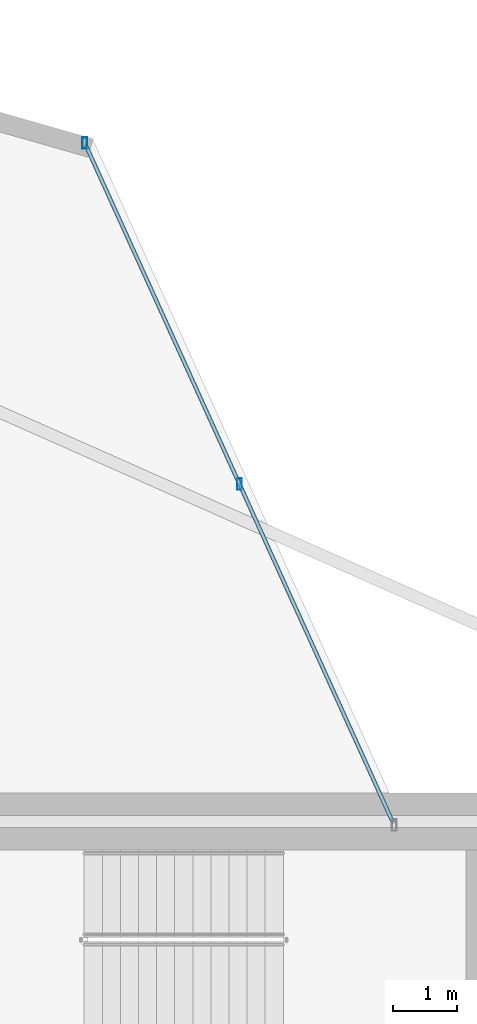
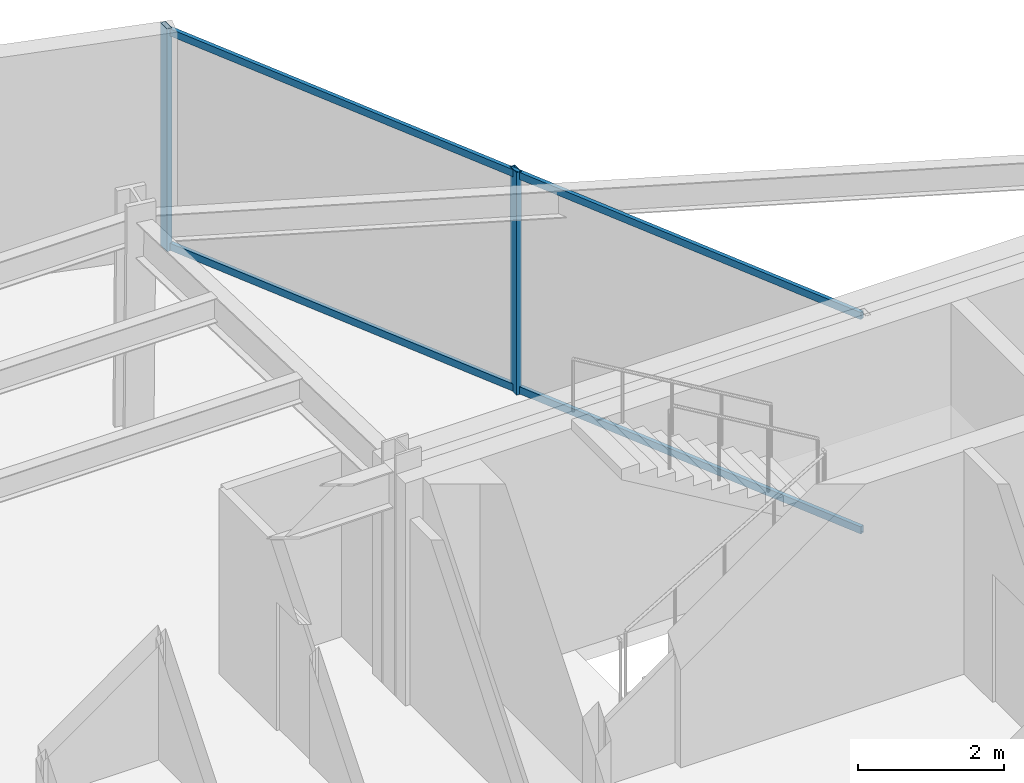
# One storey, part 18 of 25: 4 members, 1 element without a shape of its own.
"""IFC4 building model written with IfcOpenShell, lengths in metres."""

import ifcopenshell
import ifcopenshell.guid

model = None  # the IFC model being written
_history = None  # IfcOwnerHistory: only IFC2X3 demands one
_inside = {}  # id of a spatial element -> (the spatial element, [elements in it])
_under = {}  # id of a project, library or spatial element -> (it, [spatial elements below it])
_declared = {}  # id of a project -> (the project, [libraries it declares])
_typed = {}  # id of a type object -> (the type object, [elements of that type])
_made_of = {}  # id of a material, layer set ... -> (it, [elements and type objects made of it])


def new_model(schema):
    """Start an empty IFC model of exactly this schema.

    Asked for "IFC4X3", IfcOpenShell would pick the latest addendum, in which some entities
    have other attributes; the version numbers below select the first issue.
    IFC2X3 requires an IfcOwnerHistory on every rooted entity: one is made here for all.
    """
    global model, _history
    if schema == "IFC4X3":
        model = ifcopenshell.file(schema_version=(4, 3, 0, 0))
    else:
        model = ifcopenshell.file(schema=schema)
    _inside.clear()
    _under.clear()
    _declared.clear()
    _typed.clear()
    _made_of.clear()
    _history = None
    if model.schema == "IFC2X3":
        org = make("IfcOrganization", Name="unknown")
        user = make(
            "IfcPersonAndOrganization",
            ThePerson=make("IfcPerson", FamilyName="unknown"),
            TheOrganization=org,
        )
        app = make(
            "IfcApplication",
            ApplicationDeveloper=org,
            Version="unknown",
            ApplicationFullName="unknown",
            ApplicationIdentifier="unknown",
        )
        _history = make(
            "IfcOwnerHistory",
            OwningUser=user,
            OwningApplication=app,
            ChangeAction="ADDED",
            CreationDate=0,
        )
    return model


def make(cls, **values):
    """One entity of the class cls with the attributes given. An attribute that is None is left unset."""
    return model.create_entity(
        cls, **{name: value for name, value in values.items() if value is not None}
    )


def rooted(cls, **values):
    """An entity with a GlobalId (a new one), such as an element, a storey or a relation."""
    return make(cls, GlobalId=ifcopenshell.guid.new(), OwnerHistory=_history, **values)


def si_unit(unit_type, name, prefix=None):
    """IfcSIUnit, for example si_unit("LENGTHUNIT", "METRE", prefix="MILLI")."""
    return make("IfcSIUnit", UnitType=unit_type, Prefix=prefix, Name=name)


def assignment(units):
    """IfcUnitAssignment: the units of a project."""
    return None if units is None else make("IfcUnitAssignment", Units=units)


def point(xyz):
    """IfcCartesianPoint."""
    return None if xyz is None else make("IfcCartesianPoint", Coordinates=xyz)


def direction(xyz):
    """IfcDirection."""
    return None if xyz is None else make("IfcDirection", DirectionRatios=xyz)


def frame(location, z_axis=None, x_axis=None):
    """IfcAxis2Placement3D, a coordinate frame: its origin and axes. An axis left out is left unset."""
    return make(
        "IfcAxis2Placement3D",
        Location=point(location),
        Axis=direction(z_axis),
        RefDirection=direction(x_axis),
    )


def frame_2d(location, x_axis=None):
    """IfcAxis2Placement2D, a coordinate frame in the plane: its origin and x axis."""
    return make(
        "IfcAxis2Placement2D", Location=point(location), RefDirection=direction(x_axis)
    )


def origin():
    """The frame at (0, 0, 0) with its axes left unset."""
    return frame((0.0, 0.0, 0.0))


def origin_2d():
    """The frame at (0, 0) in the plane with its x axis left unset."""
    return frame_2d((0.0, 0.0))


def place(relative_to, where):
    """IfcLocalPlacement: puts the frame where relative to a parent placement (None: the world)."""
    return make(
        "IfcLocalPlacement", PlacementRelTo=relative_to, RelativePlacement=where
    )


def context(
    kind, dimensions, precision=None, world=None, true_north=None, identifier=None
):
    """IfcGeometricRepresentationContext, for example the 3D "Model" context."""
    return make(
        "IfcGeometricRepresentationContext",
        ContextIdentifier=identifier,
        ContextType=kind,
        CoordinateSpaceDimension=dimensions,
        Precision=precision,
        WorldCoordinateSystem=world,
        TrueNorth=true_north,
    )


def subcontext(parent, identifier, kind, view, scale=None):
    """IfcGeometricRepresentationSubContext, for example "Body" below "Model"."""
    return make(
        "IfcGeometricRepresentationSubContext",
        ContextIdentifier=identifier,
        ContextType=kind,
        ParentContext=parent,
        TargetScale=scale,
        TargetView=view,
    )


def project(units=None, contexts=None):
    """IfcProject with its units and contexts."""
    return rooted(
        "IfcProject",
        Name="project",
        RepresentationContexts=contexts,
        UnitsInContext=assignment(units),
    )


def spatial(cls, under=None, at=None, **own):
    """A site, building, storey or space (cls), placed at a placement, below another one or the project."""
    s = rooted(cls, ObjectPlacement=at, **own)
    if under is not None:
        _under.setdefault(under.id(), (under, []))[1].append(s)
    return s


def profile(cls, at=None, kind="AREA", **sizes):
    """A parametric profile (cls). Its sizes go by their IFC names, for example OverallWidth=200.0."""
    return make(cls, ProfileType=kind, Position=at, **sizes)


def hollow_rectangle(**sizes):
    """IfcRectangleHollowProfileDef."""
    return profile("IfcRectangleHollowProfileDef", **sizes)


def extrude(swept, where, along, depth):
    """IfcExtrudedAreaSolid: the profile swept, set in the frame where, extruded along a direction by depth."""
    return make(
        "IfcExtrudedAreaSolid",
        SweptArea=swept,
        Position=where,
        ExtrudedDirection=direction(along),
        Depth=depth,
    )


def shape(context_of_items, identifier, shape_type, items):
    """IfcShapeRepresentation: the items that make up one representation, for example the "Body"."""
    return make(
        "IfcShapeRepresentation",
        ContextOfItems=context_of_items,
        RepresentationIdentifier=identifier,
        RepresentationType=shape_type,
        Items=items,
    )


def material(Name=None, Category=None):
    """IfcMaterial."""
    return make("IfcMaterial", Name=Name, Category=Category)


def layer(
    of_material, thickness, ventilated=None, Name=None, Category=None, Priority=None
):
    """IfcMaterialLayer: one layer of a wall or slab, of a material (None: an air gap)."""
    return make(
        "IfcMaterialLayer",
        Material=of_material,
        LayerThickness=thickness,
        IsVentilated=ventilated,
        Name=Name,
        Category=Category,
        Priority=Priority,
    )


def layer_set(layers, Name=None):
    """IfcMaterialLayerSet."""
    return make("IfcMaterialLayerSet", MaterialLayers=layers, LayerSetName=Name)


def material_profile(
    of_material, cross_section, Name=None, Category=None, Priority=None
):
    """IfcMaterialProfile: a cross section and its material."""
    return make(
        "IfcMaterialProfile",
        Name=Name,
        Material=of_material,
        Profile=cross_section,
        Priority=Priority,
        Category=Category,
    )


def profile_set(profiles, Name=None, composite=None):
    """IfcMaterialProfileSet."""
    return make(
        "IfcMaterialProfileSet",
        Name=Name,
        MaterialProfiles=profiles,
        CompositeProfile=composite,
    )


def made_of(thing, what):
    """Note that an element or type object is made of a material, layer set ...; save() writes the relation."""
    if what is not None:
        _made_of.setdefault(what.id(), (what, []))[1].append(thing)
    return thing


def type_object(cls, material=None, **own):
    """A type object (cls), such as IfcWallType, which elements share."""
    return made_of(rooted(cls, **own), material)


def element(
    cls,
    number,
    at=None,
    inside=None,
    cuts=None,
    type_object=None,
    material=None,
    context=None,
    identifier="Body",
    shape_type=None,
    held_by="IfcProductDefinitionShape",
    body=None,
    shapes=None,
    **own,
):
    """One element of the class cls, such as IfcWall. Its Tag is "e" and its number.

    at: its placement. inside: the storey or other place that contains it. cuts: it is an
    opening in that element (IfcRelVoidsElement). A single representation is given by context,
    identifier, shape_type and body (its items); several are given by shapes. held_by: the class
    of the entity that holds the representations. save() writes the other relations.
    """
    e = rooted(cls, Tag="e%d" % number, ObjectPlacement=at, **own)
    if body is not None:
        shapes = [shape(context, identifier, shape_type, body)]
    if shapes is not None:
        e.Representation = make(held_by, Representations=shapes)
    if inside is not None:
        _inside.setdefault(inside.id(), (inside, []))[1].append(e)
    if cuts is not None:
        rooted(
            "IfcRelVoidsElement", RelatingBuildingElement=cuts, RelatedOpeningElement=e
        )
    if type_object is not None:
        _typed.setdefault(type_object.id(), (type_object, []))[1].append(e)
    return made_of(e, material)


def aggregate(whole, parts):
    """IfcRelAggregates: a whole, such as a stair, and the parts it consists of."""
    return rooted("IfcRelAggregates", RelatingObject=whole, RelatedObjects=parts)


def save(model, path):
    """Write the relations noted so far, then the file.

    IfcRelAggregates (storeys below a building ...), IfcRelContainedInSpatialStructure (elements
    in a storey), IfcRelDefinesByType, IfcRelAssociatesMaterial and IfcRelDeclares: one each for
    every whole, place, type object, material and project.
    """
    for whole, parts in _under.values():
        aggregate(whole, parts)
    for where, things in _inside.values():
        rooted(
            "IfcRelContainedInSpatialStructure",
            RelatedElements=things,
            RelatingStructure=where,
        )
    for kind, things in _typed.values():
        rooted("IfcRelDefinesByType", RelatedObjects=things, RelatingType=kind)
    for what, things in _made_of.values():
        rooted("IfcRelAssociatesMaterial", RelatedObjects=things, RelatingMaterial=what)
    for by, libraries in _declared.values():
        rooted("IfcRelDeclares", RelatingContext=by, RelatedDefinitions=libraries)
    model.write(path)


model = new_model("IFC4")

# Units and contexts
model_context = context("Model", 3, precision=1e-05, world=origin(), true_north=direction((0.0, 1.0)))
body_context = subcontext(model_context, "Body", "Model", "MODEL_VIEW")
ifc_project = project(units=[si_unit("LENGTHUNIT", "METRE"), si_unit("AREAUNIT", "SQUARE_METRE"), si_unit("VOLUMEUNIT", "CUBIC_METRE"), si_unit("PLANEANGLEUNIT", "RADIAN"), si_unit("MASSUNIT", "GRAM", prefix="KILO")], contexts=[model_context])

# Site, building, storey
site_placement = place(None, origin())
site = spatial("IfcSite", under=ifc_project, at=site_placement, CompositionType="ELEMENT")
building_placement = place(site_placement, origin())
building = spatial("IfcBuilding", under=site, at=building_placement, Name="Veymaron Broadcast Tower", CompositionType="ELEMENT")
storey_placement = place(building_placement, frame((0.0, 0.0, 102.60009765625)))
storey = spatial("IfcBuildingStorey", under=building, at=storey_placement, Name="L23", CompositionType="ELEMENT", Elevation=102.60009765625)

# Curtain wall, members
ifc_material_1 = material(Name="Anodised aluminium AA 6063-T6 and laminated low-E dark glass", Category="aluminium")
ifc_layer = layer(ifc_material_1, 0.179931640625)
ifc_layer_set = layer_set([ifc_layer], Name="Anodised aluminium AA 6063-T6 and laminated low-E dark glass")
curtain_wall_type = type_object("IfcCurtainWallType", Name="CW-SYS-02", PredefinedType="NOTDEFINED", material=ifc_layer_set)
curtain_wall_placement = place(storey_placement, origin())
curtain_wall = element("IfcCurtainWall", 1, at=curtain_wall_placement, inside=storey, type_object=curtain_wall_type, Name="L23 dark-glass curtain wall CW-L23-E5-1", PredefinedType="NOTDEFINED")
ifc_material_2 = material(Name="Anodised aluminium AA 6063-T6", Category="aluminium")
ifc_material_profile_1 = material_profile(ifc_material_2, hollow_rectangle(XDim=0.074951171875, YDim=0.179931640625, WallThickness=0.0048828125, at=origin_2d()), Name="AL180X75X5")
ifc_profile_set_1 = profile_set([ifc_material_profile_1], Name="Anodised aluminium AA 6063-T6")
member_type_1 = type_object("IfcMemberType", Name="CW-MUL-02", PredefinedType="MULLION", material=ifc_profile_set_1)
member_1_placement = place(storey_placement, frame((43.87451171875, 37.312255859375, 0.0), z_axis=(0.0, 0.0, 1.0), x_axis=(1.0, 0.0, 0.0)))
member_1 = element("IfcMember", 2, at=member_1_placement, type_object=member_type_1, Name="CW-L23-E5-1 mullion 1", PredefinedType="MULLION", context=body_context, shape_type="SweptSolid", body=[
    extrude(hollow_rectangle(XDim=0.074951171875, YDim=0.179931640625, WallThickness=0.0048828125, at=origin_2d()), origin(), (0.0, 0.0, 1.0), 3.72998046875),
])
member_2_placement = place(storey_placement, frame((41.439208984375, 42.68212890625, 0.0), z_axis=(0.0, 0.0, 1.0), x_axis=(1.0, 0.0, 0.0)))
member_2 = element("IfcMember", 3, at=member_2_placement, type_object=member_type_1, Name="CW-L23-E5-1 mullion 2", PredefinedType="MULLION", context=body_context, shape_type="SweptSolid", body=[
    extrude(hollow_rectangle(XDim=0.074951171875, YDim=0.179931640625, WallThickness=0.0048828125, at=origin_2d()), origin(), (0.0, 0.0, 1.0), 3.72998046875),
])
ifc_material_profile_2 = material_profile(ifc_material_2, hollow_rectangle(XDim=0.06005859375, YDim=0.1201171875, WallThickness=0.00390625, at=origin_2d()), Name="AL120X60X4")
ifc_profile_set_2 = profile_set([ifc_material_profile_2], Name="Anodised aluminium AA 6063-T6")
member_type_2 = type_object("IfcMemberType", Name="CW-TRN-02", PredefinedType="USERDEFINED", material=ifc_profile_set_2)
member_3_placement = place(storey_placement, frame((46.2890625, 31.98779296875, 0.06982421875), z_axis=(-0.413000488242, 0.910730803647, 0.0), x_axis=(-0.910730803647, -0.413000488242, 0.0)))
member_3 = element("IfcMember", 4, at=member_3_placement, type_object=member_type_2, Name="CW-L23-E5-1 transom B", ObjectType="TRANSOM", PredefinedType="USERDEFINED", context=body_context, shape_type="SweptSolid", body=[
    extrude(hollow_rectangle(XDim=0.06005859375, YDim=0.1201171875, WallThickness=0.00390625, at=origin_2d()), origin(), (0.0, 0.0, 1.0), 11.692626953125),
])
member_4_placement = place(storey_placement, frame((46.2890625, 31.98779296875, 3.659912109375), z_axis=(-0.413000488242, 0.910730803647, 0.0), x_axis=(-0.910730803647, -0.413000488242, 0.0)))
member_4 = element("IfcMember", 5, at=member_4_placement, type_object=member_type_2, Name="CW-L23-E5-1 transom T", ObjectType="TRANSOM", PredefinedType="USERDEFINED", context=body_context, shape_type="SweptSolid", body=[
    extrude(hollow_rectangle(XDim=0.06005859375, YDim=0.1201171875, WallThickness=0.00390625, at=origin_2d()), origin(), (0.0, 0.0, 1.0), 11.692626953125),
])
aggregate(curtain_wall, [member_1, member_2, member_3, member_4])

save(model, "model.ifc")
